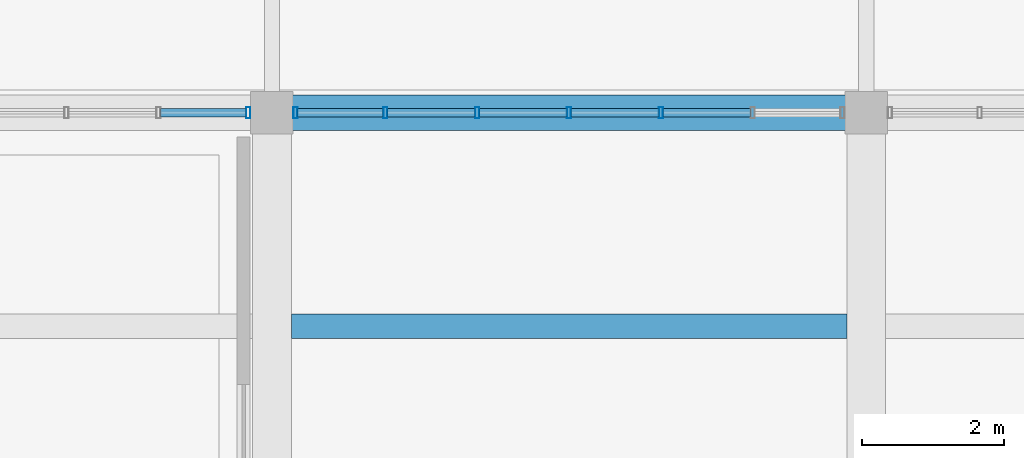
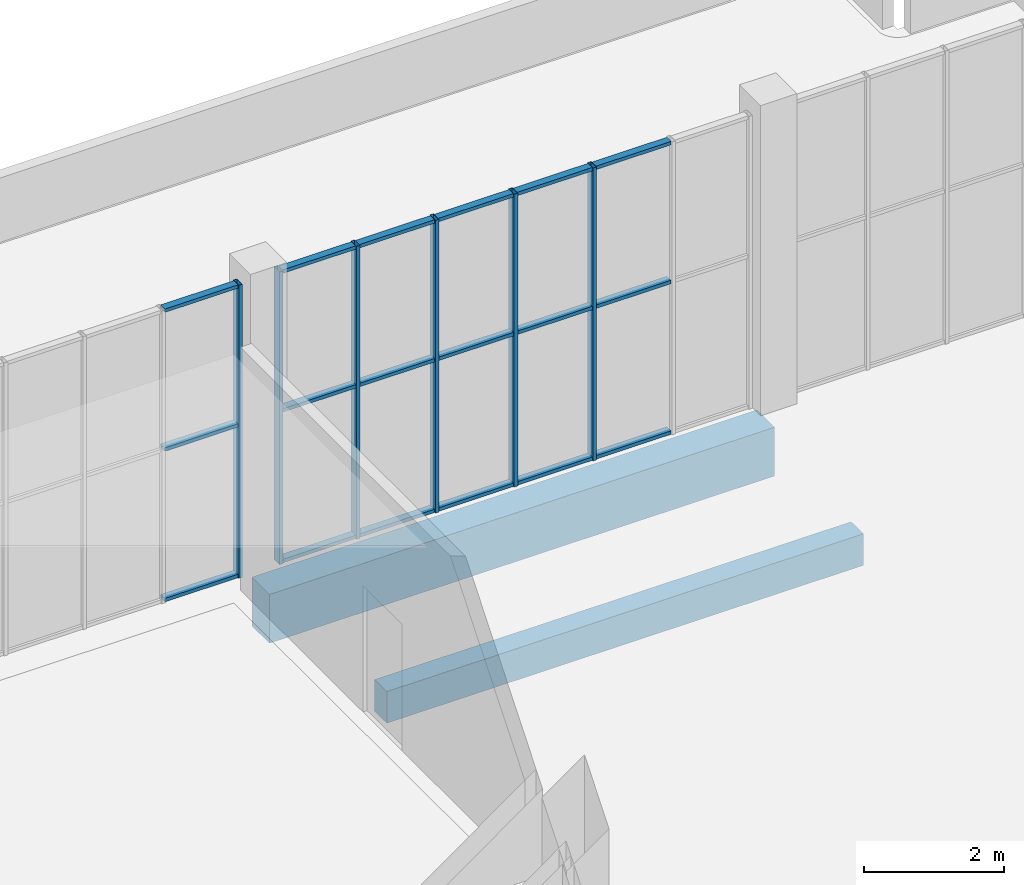
# One storey, part 51 of 132: 24 members, 2 beams, 2 elements without a shape of their own.
"""IFC4 building model written with IfcOpenShell, lengths in metres."""

from ifc_helpers import new_model, si_unit, direction, frame, origin, origin_2d, place, context, subcontext, project, spatial, rectangle, hollow_rectangle, extrude, material, material_profile, profile_set, type_object, element, aggregate, save


model = new_model("IFC4")

# Units and contexts
model_context = context("Model", 3, precision=1e-05, world=origin(), true_north=direction((0.0, 1.0)))
body_context = subcontext(model_context, "Body", "Model", "MODEL_VIEW")
ifc_project = project(units=[si_unit("LENGTHUNIT", "METRE"), si_unit("AREAUNIT", "SQUARE_METRE"), si_unit("VOLUMEUNIT", "CUBIC_METRE"), si_unit("PLANEANGLEUNIT", "RADIAN"), si_unit("MASSUNIT", "GRAM", prefix="KILO")], contexts=[model_context])

# Site, building, storey
site_placement = place(None, origin())
site = spatial("IfcSite", under=ifc_project, at=site_placement, CompositionType="ELEMENT")
building_placement = place(site_placement, origin())
building = spatial("IfcBuilding", under=site, at=building_placement, Name="Khurvash Pelagic Aquarium", CompositionType="ELEMENT")
storey_placement = place(building_placement, frame((0.0, 0.0, 5.39990234375)))
storey = spatial("IfcBuildingStorey", under=building, at=storey_placement, Name="L01", CompositionType="ELEMENT", Elevation=5.39990234375)

# Curtain wall, members
ifc_material_1 = material(Name="Anodised aluminium and low-E laminated glass", Category="aluminium")
curtain_wall_type = type_object("IfcCurtainWallType", Name="CW-05", PredefinedType="USERDEFINED", material=ifc_material_1)
curtain_wall_1_placement = place(storey_placement, origin())
curtain_wall_1 = element("IfcCurtainWall", 1, at=curtain_wall_1_placement, inside=storey, type_object=curtain_wall_type, Name="L01 Facade Unitised Curtain Wall CW-05 0122", ObjectType="UNITISED CURTAIN WALL", PredefinedType="USERDEFINED")
ifc_material_2 = material(Name="Extruded aluminium AW-6063-T6", Category="aluminium")
ifc_material_profile_1 = material_profile(ifc_material_2, hollow_rectangle(XDim=0.06005859375, YDim=0.159912109375, WallThickness=0.00390625, at=origin_2d()), Name="CWM60X160X4")
ifc_profile_set_1 = profile_set([ifc_material_profile_1], Name="Extruded aluminium AW-6063-T6")
member_type_1 = type_object("IfcMemberType", Name="CM-02", PredefinedType="MULLION", material=ifc_profile_set_1)
member_1_placement = place(storey_placement, frame((22.29833984375, 93.10009765625, 0.0), z_axis=(0.0, 0.0, 1.0), x_axis=(-1.0, 0.0, 0.0)))
member_1 = element("IfcMember", 2, at=member_1_placement, type_object=member_type_1, Name="CW-05 mullion 3", PredefinedType="MULLION", context=body_context, shape_type="SweptSolid", body=[
    extrude(hollow_rectangle(XDim=0.06005859375, YDim=0.159912109375, WallThickness=0.00390625, at=origin_2d()), origin(), (0.0, 0.0, 1.0), 5.10009765625),
])
member_2_placement = place(storey_placement, frame((21.0, 93.10009765625, 0.0), z_axis=(0.0, 0.0, 1.0), x_axis=(-1.0, 0.0, 0.0)))
member_2 = element("IfcMember", 3, at=member_2_placement, type_object=member_type_1, Name="CW-05 mullion 4", PredefinedType="MULLION", context=body_context, shape_type="SweptSolid", body=[
    extrude(hollow_rectangle(XDim=0.06005859375, YDim=0.159912109375, WallThickness=0.00390625, at=origin_2d()), origin(), (0.0, 0.0, 1.0), 5.10009765625),
])
member_3_placement = place(storey_placement, frame((19.70166015625, 93.10009765625, 0.0), z_axis=(0.0, 0.0, 1.0), x_axis=(-1.0, 0.0, 0.0)))
member_3 = element("IfcMember", 4, at=member_3_placement, type_object=member_type_1, Name="CW-05 mullion 5", PredefinedType="MULLION", context=body_context, shape_type="SweptSolid", body=[
    extrude(hollow_rectangle(XDim=0.06005859375, YDim=0.159912109375, WallThickness=0.00390625, at=origin_2d()), origin(), (0.0, 0.0, 1.0), 5.10009765625),
])
member_4_placement = place(storey_placement, frame((18.4033203125, 93.10009765625, 0.0), z_axis=(0.0, 0.0, 1.0), x_axis=(-1.0, 0.0, 0.0)))
member_4 = element("IfcMember", 5, at=member_4_placement, type_object=member_type_1, Name="CW-05 mullion 6", PredefinedType="MULLION", context=body_context, shape_type="SweptSolid", body=[
    extrude(hollow_rectangle(XDim=0.06005859375, YDim=0.159912109375, WallThickness=0.00390625, at=origin_2d()), origin(), (0.0, 0.0, 1.0), 5.10009765625),
])
member_5_placement = place(storey_placement, frame((17.135009765625, 93.10009765625, 0.0), z_axis=(0.0, 0.0, 1.0), x_axis=(-1.0, 0.0, 0.0)))
member_5 = element("IfcMember", 6, at=member_5_placement, type_object=member_type_1, Name="CW-05 mullion 7", PredefinedType="MULLION", context=body_context, shape_type="SweptSolid", body=[
    extrude(hollow_rectangle(XDim=0.06005859375, YDim=0.159912109375, WallThickness=0.00390625, at=origin_2d()), origin(), (0.0, 0.0, 1.0), 5.10009765625),
])

# Curtain wall, member
curtain_wall_2_placement = place(storey_placement, origin())
curtain_wall_2 = element("IfcCurtainWall", 7, at=curtain_wall_2_placement, inside=storey, type_object=curtain_wall_type, Name="L01 Facade Unitised Curtain Wall CW-05 0123", ObjectType="UNITISED CURTAIN WALL", PredefinedType="USERDEFINED")
member_6_placement = place(storey_placement, frame((16.465087890625, 93.10009765625, 0.0), z_axis=(0.0, 0.0, 1.0), x_axis=(-1.0, 0.0, 0.0)))
member_6 = element("IfcMember", 8, at=member_6_placement, type_object=member_type_1, Name="CW-05 mullion 1", PredefinedType="MULLION", context=body_context, shape_type="SweptSolid", body=[
    extrude(hollow_rectangle(XDim=0.06005859375, YDim=0.159912109375, WallThickness=0.00390625, at=origin_2d()), origin(), (0.0, 0.0, 1.0), 5.10009765625),
])

# Member
ifc_material_profile_2 = material_profile(ifc_material_2, hollow_rectangle(XDim=0.1201171875, YDim=0.06005859375, WallThickness=0.00390625, at=origin_2d()), Name="CWT120X60X4")
ifc_profile_set_2 = profile_set([ifc_material_profile_2], Name="Extruded aluminium AW-6063-T6")
member_type_2 = type_object("IfcMemberType", Name="CT-02", PredefinedType="USERDEFINED", material=ifc_profile_set_2)
member_7_placement = place(storey_placement, frame((23.566650390625, 93.10009765625, 0.030029296875), z_axis=(-1.0, 0.0, 0.0), x_axis=(0.0, -1.0, 0.0)))
member_7 = element("IfcMember", 9, at=member_7_placement, type_object=member_type_2, Name="CW-05 transom 2.1", ObjectType="TRANSOM", PredefinedType="USERDEFINED", context=body_context, shape_type="SweptSolid", body=[
    extrude(hollow_rectangle(XDim=0.1201171875, YDim=0.06005859375, WallThickness=0.00390625, at=origin_2d()), origin(), (0.0, 0.0, 1.0), 1.23828125),
])

member_8_placement = place(storey_placement, frame((23.566650390625, 93.10009765625, 2.652099609375), z_axis=(-1.0, 0.0, 0.0), x_axis=(0.0, -1.0, 0.0)))
member_8 = element("IfcMember", 10, at=member_8_placement, type_object=member_type_2, Name="CW-05 transom 2.2", ObjectType="TRANSOM", PredefinedType="USERDEFINED", context=body_context, shape_type="SweptSolid", body=[
    extrude(hollow_rectangle(XDim=0.1201171875, YDim=0.06005859375, WallThickness=0.00390625, at=origin_2d()), origin(), (0.0, 0.0, 1.0), 1.23828125),
])

member_9_placement = place(storey_placement, frame((23.566650390625, 93.10009765625, 5.070068359375), z_axis=(-1.0, 0.0, 0.0), x_axis=(0.0, -1.0, 0.0)))
member_9 = element("IfcMember", 11, at=member_9_placement, type_object=member_type_2, Name="CW-05 transom 2.3", ObjectType="TRANSOM", PredefinedType="USERDEFINED", context=body_context, shape_type="SweptSolid", body=[
    extrude(hollow_rectangle(XDim=0.1201171875, YDim=0.06005859375, WallThickness=0.00390625, at=origin_2d()), origin(), (0.0, 0.0, 1.0), 1.23828125),
])

member_10_placement = place(storey_placement, frame((22.268310546875, 93.10009765625, 0.030029296875), z_axis=(-1.0, 0.0, 0.0), x_axis=(0.0, -1.0, 0.0)))
member_10 = element("IfcMember", 12, at=member_10_placement, type_object=member_type_2, Name="CW-05 transom 3.1", ObjectType="TRANSOM", PredefinedType="USERDEFINED", context=body_context, shape_type="SweptSolid", body=[
    extrude(hollow_rectangle(XDim=0.1201171875, YDim=0.06005859375, WallThickness=0.00390625, at=origin_2d()), origin(), (0.0, 0.0, 1.0), 1.23828125),
])

member_11_placement = place(storey_placement, frame((22.268310546875, 93.10009765625, 2.652099609375), z_axis=(-1.0, 0.0, 0.0), x_axis=(0.0, -1.0, 0.0)))
member_11 = element("IfcMember", 13, at=member_11_placement, type_object=member_type_2, Name="CW-05 transom 3.2", ObjectType="TRANSOM", PredefinedType="USERDEFINED", context=body_context, shape_type="SweptSolid", body=[
    extrude(hollow_rectangle(XDim=0.1201171875, YDim=0.06005859375, WallThickness=0.00390625, at=origin_2d()), origin(), (0.0, 0.0, 1.0), 1.23828125),
])

member_12_placement = place(storey_placement, frame((22.268310546875, 93.10009765625, 5.070068359375), z_axis=(-1.0, 0.0, 0.0), x_axis=(0.0, -1.0, 0.0)))
member_12 = element("IfcMember", 14, at=member_12_placement, type_object=member_type_2, Name="CW-05 transom 3.3", ObjectType="TRANSOM", PredefinedType="USERDEFINED", context=body_context, shape_type="SweptSolid", body=[
    extrude(hollow_rectangle(XDim=0.1201171875, YDim=0.06005859375, WallThickness=0.00390625, at=origin_2d()), origin(), (0.0, 0.0, 1.0), 1.23828125),
])

member_13_placement = place(storey_placement, frame((20.969970703125, 93.10009765625, 0.030029296875), z_axis=(-1.0, 0.0, 0.0), x_axis=(0.0, -1.0, 0.0)))
member_13 = element("IfcMember", 15, at=member_13_placement, type_object=member_type_2, Name="CW-05 transom 4.1", ObjectType="TRANSOM", PredefinedType="USERDEFINED", context=body_context, shape_type="SweptSolid", body=[
    extrude(hollow_rectangle(XDim=0.1201171875, YDim=0.06005859375, WallThickness=0.00390625, at=origin_2d()), origin(), (0.0, 0.0, 1.0), 1.23828125),
])

member_14_placement = place(storey_placement, frame((20.969970703125, 93.10009765625, 2.652099609375), z_axis=(-1.0, 0.0, 0.0), x_axis=(0.0, -1.0, 0.0)))
member_14 = element("IfcMember", 16, at=member_14_placement, type_object=member_type_2, Name="CW-05 transom 4.2", ObjectType="TRANSOM", PredefinedType="USERDEFINED", context=body_context, shape_type="SweptSolid", body=[
    extrude(hollow_rectangle(XDim=0.1201171875, YDim=0.06005859375, WallThickness=0.00390625, at=origin_2d()), origin(), (0.0, 0.0, 1.0), 1.23828125),
])

member_15_placement = place(storey_placement, frame((20.969970703125, 93.10009765625, 5.070068359375), z_axis=(-1.0, 0.0, 0.0), x_axis=(0.0, -1.0, 0.0)))
member_15 = element("IfcMember", 17, at=member_15_placement, type_object=member_type_2, Name="CW-05 transom 4.3", ObjectType="TRANSOM", PredefinedType="USERDEFINED", context=body_context, shape_type="SweptSolid", body=[
    extrude(hollow_rectangle(XDim=0.1201171875, YDim=0.06005859375, WallThickness=0.00390625, at=origin_2d()), origin(), (0.0, 0.0, 1.0), 1.23828125),
])

member_16_placement = place(storey_placement, frame((19.671630859375, 93.10009765625, 0.030029296875), z_axis=(-1.0, 0.0, 0.0), x_axis=(0.0, -1.0, 0.0)))
member_16 = element("IfcMember", 18, at=member_16_placement, type_object=member_type_2, Name="CW-05 transom 5.1", ObjectType="TRANSOM", PredefinedType="USERDEFINED", context=body_context, shape_type="SweptSolid", body=[
    extrude(hollow_rectangle(XDim=0.1201171875, YDim=0.06005859375, WallThickness=0.00390625, at=origin_2d()), origin(), (0.0, 0.0, 1.0), 1.23828125),
])

member_17_placement = place(storey_placement, frame((19.671630859375, 93.10009765625, 2.652099609375), z_axis=(-1.0, 0.0, 0.0), x_axis=(0.0, -1.0, 0.0)))
member_17 = element("IfcMember", 19, at=member_17_placement, type_object=member_type_2, Name="CW-05 transom 5.2", ObjectType="TRANSOM", PredefinedType="USERDEFINED", context=body_context, shape_type="SweptSolid", body=[
    extrude(hollow_rectangle(XDim=0.1201171875, YDim=0.06005859375, WallThickness=0.00390625, at=origin_2d()), origin(), (0.0, 0.0, 1.0), 1.23828125),
])

member_18_placement = place(storey_placement, frame((19.671630859375, 93.10009765625, 5.070068359375), z_axis=(-1.0, 0.0, 0.0), x_axis=(0.0, -1.0, 0.0)))
member_18 = element("IfcMember", 20, at=member_18_placement, type_object=member_type_2, Name="CW-05 transom 5.3", ObjectType="TRANSOM", PredefinedType="USERDEFINED", context=body_context, shape_type="SweptSolid", body=[
    extrude(hollow_rectangle(XDim=0.1201171875, YDim=0.06005859375, WallThickness=0.00390625, at=origin_2d()), origin(), (0.0, 0.0, 1.0), 1.23828125),
])

member_19_placement = place(storey_placement, frame((18.373291015625, 93.10009765625, 0.030029296875), z_axis=(-1.0, 0.0, 0.0), x_axis=(0.0, -1.0, 0.0)))
member_19 = element("IfcMember", 21, at=member_19_placement, type_object=member_type_2, Name="CW-05 transom 6.1", ObjectType="TRANSOM", PredefinedType="USERDEFINED", context=body_context, shape_type="SweptSolid", body=[
    extrude(hollow_rectangle(XDim=0.1201171875, YDim=0.06005859375, WallThickness=0.00390625, at=origin_2d()), origin(), (0.0, 0.0, 1.0), 1.208251953125),
])

member_20_placement = place(storey_placement, frame((18.373291015625, 93.10009765625, 2.652099609375), z_axis=(-1.0, 0.0, 0.0), x_axis=(0.0, -1.0, 0.0)))
member_20 = element("IfcMember", 22, at=member_20_placement, type_object=member_type_2, Name="CW-05 transom 6.2", ObjectType="TRANSOM", PredefinedType="USERDEFINED", context=body_context, shape_type="SweptSolid", body=[
    extrude(hollow_rectangle(XDim=0.1201171875, YDim=0.06005859375, WallThickness=0.00390625, at=origin_2d()), origin(), (0.0, 0.0, 1.0), 1.208251953125),
])

member_21_placement = place(storey_placement, frame((18.373291015625, 93.10009765625, 5.070068359375), z_axis=(-1.0, 0.0, 0.0), x_axis=(0.0, -1.0, 0.0)))
member_21 = element("IfcMember", 23, at=member_21_placement, type_object=member_type_2, Name="CW-05 transom 6.3", ObjectType="TRANSOM", PredefinedType="USERDEFINED", context=body_context, shape_type="SweptSolid", body=[
    extrude(hollow_rectangle(XDim=0.1201171875, YDim=0.06005859375, WallThickness=0.00390625, at=origin_2d()), origin(), (0.0, 0.0, 1.0), 1.208251953125),
])

aggregate(curtain_wall_1, [member_1, member_2, member_3, member_4, member_5, member_7, member_8, member_9, member_10, member_11, member_12, member_13, member_14, member_15, member_16, member_17, member_18, member_19, member_20, member_21])

member_22_placement = place(storey_placement, frame((16.43505859375, 93.10009765625, 0.030029296875), z_axis=(-1.0, 0.0, 0.0), x_axis=(0.0, -1.0, 0.0)))
member_22 = element("IfcMember", 24, at=member_22_placement, type_object=member_type_2, Name="CW-05 transom 1.1", ObjectType="TRANSOM", PredefinedType="USERDEFINED", context=body_context, shape_type="SweptSolid", body=[
    extrude(hollow_rectangle(XDim=0.1201171875, YDim=0.06005859375, WallThickness=0.00390625, at=origin_2d()), origin(), (0.0, 0.0, 1.0), 1.20849609375),
])

member_23_placement = place(storey_placement, frame((16.43505859375, 93.10009765625, 2.652099609375), z_axis=(-1.0, 0.0, 0.0), x_axis=(0.0, -1.0, 0.0)))
member_23 = element("IfcMember", 25, at=member_23_placement, type_object=member_type_2, Name="CW-05 transom 1.2", ObjectType="TRANSOM", PredefinedType="USERDEFINED", context=body_context, shape_type="SweptSolid", body=[
    extrude(hollow_rectangle(XDim=0.1201171875, YDim=0.06005859375, WallThickness=0.00390625, at=origin_2d()), origin(), (0.0, 0.0, 1.0), 1.20849609375),
])

member_24_placement = place(storey_placement, frame((16.43505859375, 93.10009765625, 5.070068359375), z_axis=(-1.0, 0.0, 0.0), x_axis=(0.0, -1.0, 0.0)))
member_24 = element("IfcMember", 26, at=member_24_placement, type_object=member_type_2, Name="CW-05 transom 1.3", ObjectType="TRANSOM", PredefinedType="USERDEFINED", context=body_context, shape_type="SweptSolid", body=[
    extrude(hollow_rectangle(XDim=0.1201171875, YDim=0.06005859375, WallThickness=0.00390625, at=origin_2d()), origin(), (0.0, 0.0, 1.0), 1.20849609375),
])

aggregate(curtain_wall_2, [member_6, member_22, member_23, member_24])

# Beams
ifc_material_3 = material(Name="Concrete C35/45", Category="concrete")
ifc_material_profile_3 = material_profile(ifc_material_3, rectangle(XDim=0.35009765625, YDim=0.550048828125, at=origin_2d()), Name="RC350X550")
ifc_profile_set_3 = profile_set([ifc_material_profile_3], Name="Concrete C35/45")
beam_type_1 = type_object("IfcBeamType", Name="JS-01", PredefinedType="JOIST", material=ifc_profile_set_3)
beam_1_placement = place(storey_placement, frame((17.074951171875, 90.0830078125, -0.5849609375), z_axis=(1.0, 0.0, 0.0), x_axis=(0.0, 1.0, 0.0)))
element("IfcBeam", 27, at=beam_1_placement, inside=storey, type_object=beam_type_1, Name="L01 Floor Joist JS-01 00457", PredefinedType="JOIST", context=body_context, shape_type="SweptSolid", body=[
    extrude(rectangle(XDim=0.35009765625, YDim=0.550048828125, at=origin_2d()), origin(), (0.0, 0.0, 1.0), 7.85009765625),
])
ifc_material_4 = material(Name="Concrete C40/50", Category="concrete")
ifc_material_profile_4 = material_profile(ifc_material_4, rectangle(XDim=0.5, YDim=0.85009765625, at=origin_2d()), Name="RC500X850")
ifc_profile_set_4 = profile_set([ifc_material_profile_4], Name="Concrete C40/50")
beam_type_2 = type_object("IfcBeamType", Name="SEB-03", PredefinedType="SPANDREL", material=ifc_profile_set_4)
beam_2_placement = place(storey_placement, frame((16.840087890625, 93.10009765625, -0.744873046875), z_axis=(1.0, 0.0, 0.0), x_axis=(0.0, 1.0, 0.0)))
element("IfcBeam", 28, at=beam_2_placement, inside=storey, type_object=beam_type_2, Name="L01 Primary Girder SEB-03 00325", PredefinedType="SPANDREL", context=body_context, shape_type="SweptSolid", body=[
    extrude(rectangle(XDim=0.5, YDim=0.85009765625, at=origin_2d()), origin(), (0.0, 0.0, 1.0), 8.31982421875),
])

save(model, "model.ifc")
